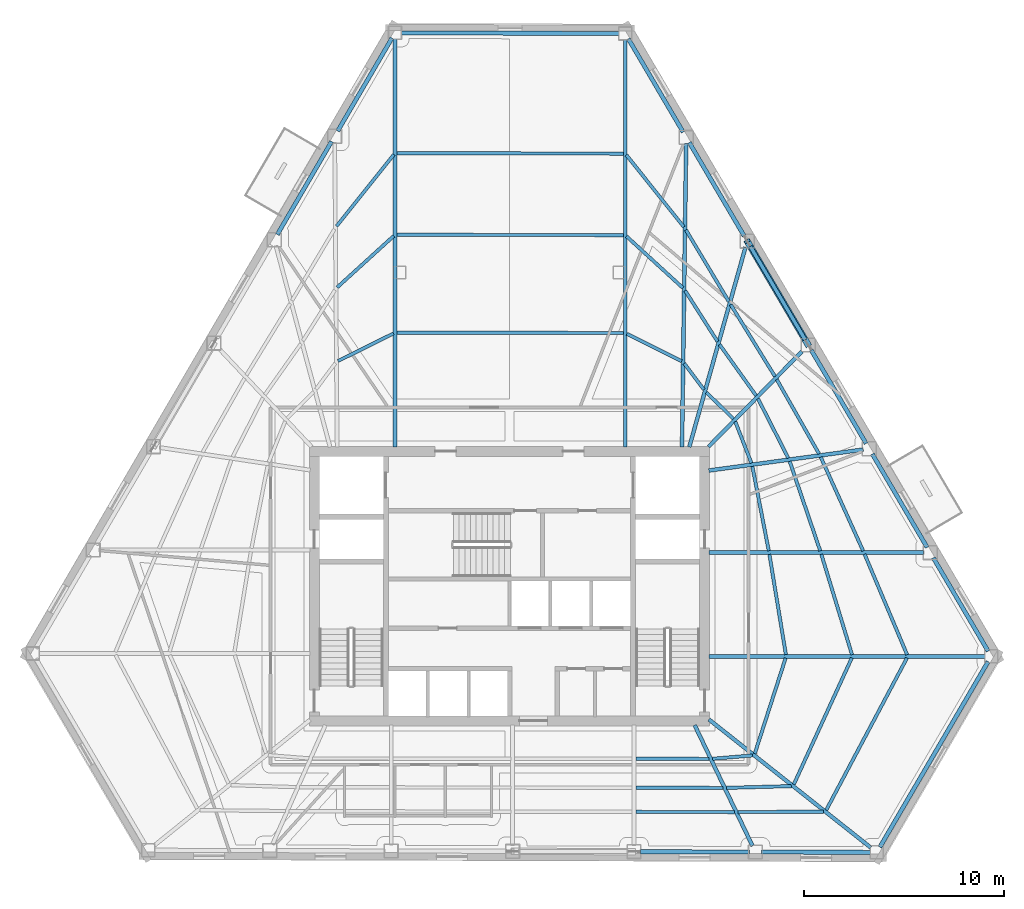
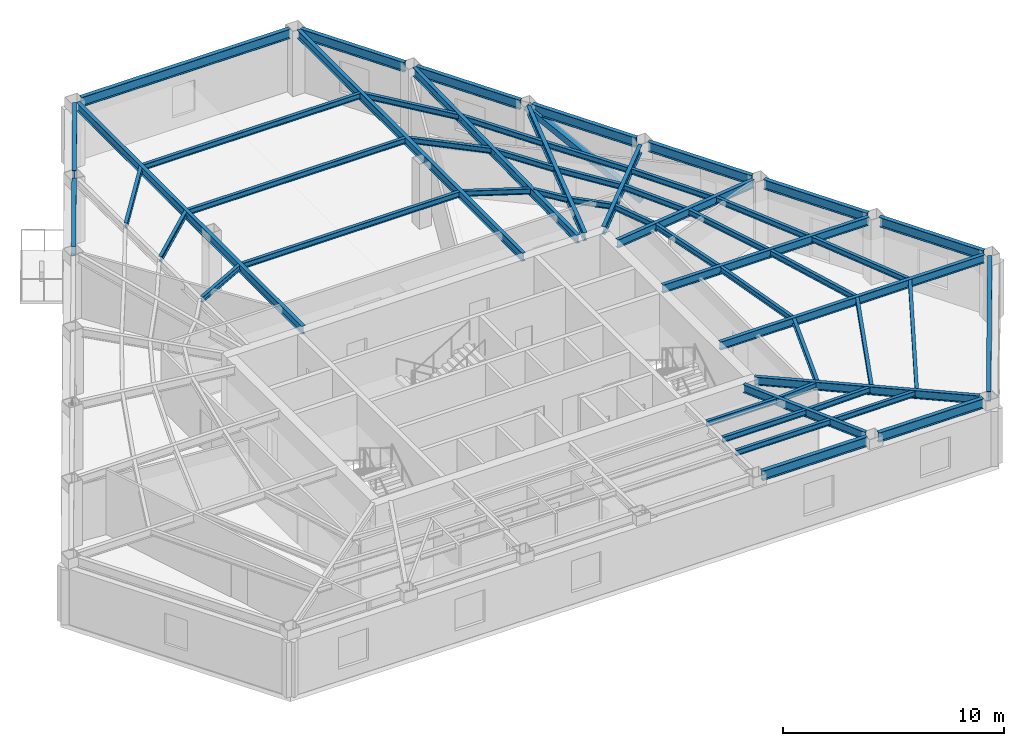
# One storey, part 2 of 11: 55 beams, 1 member.
"""IFC4 building model written with IfcOpenShell, lengths in metres."""

from ifc_helpers import new_model, si_unit, direction, frame, origin, origin_2d, place, context, subcontext, project, spatial, hollow_rectangle, i_section, extrude, material, material_profile, profile_set, type_object, element, save


model = new_model("IFC4")

# Units and contexts
model_context = context("Model", 3, precision=1e-05, world=origin(), true_north=direction((0.0, 1.0)))
body_context = subcontext(model_context, "Body", "Model", "MODEL_VIEW")
ifc_project = project(units=[si_unit("LENGTHUNIT", "METRE"), si_unit("AREAUNIT", "SQUARE_METRE"), si_unit("VOLUMEUNIT", "CUBIC_METRE"), si_unit("PLANEANGLEUNIT", "RADIAN"), si_unit("MASSUNIT", "GRAM", prefix="KILO")], contexts=[model_context])

# Site, building, storey
site_placement = place(None, origin())
site = spatial("IfcSite", under=ifc_project, at=site_placement, CompositionType="ELEMENT")
building_placement = place(site_placement, origin())
building = spatial("IfcBuilding", under=site, at=building_placement, Name="Kavelnor Concourse Tower", CompositionType="ELEMENT")
storey_placement = place(building_placement, frame((0.0, 0.0, 127.85009765625)))
storey = spatial("IfcBuildingStorey", under=building, at=storey_placement, Name="L32", CompositionType="ELEMENT", Elevation=127.85009765625)

# Beams
ifc_material = material(Name="Steel Grade 350", Category="steel")
ifc_material_profile_1 = material_profile(ifc_material, i_section(OverallWidth=0.166015625, OverallDepth=0.306884765625, WebThickness=0.006591796875, FlangeThickness=0.01171875, at=origin_2d()), Name="310UB46")
ifc_profile_set_1 = profile_set([ifc_material_profile_1], Name="Steel Grade 350")
beam_type_1 = type_object("IfcBeamType", Name="BM-JOIST-310", PredefinedType="JOIST", material=ifc_profile_set_1)
beam_1_placement = place(storey_placement, frame((44.32421875, 7.44775390625, 3.4462890625), z_axis=(0.999998504966, -0.001729180708, 0.0), x_axis=(0.001729180708, 0.999998504966, 0.0)))
element("IfcBeam", 1, at=beam_1_placement, inside=storey, type_object=beam_type_1, Name="L32 Secondary Composite Joist 06-1", PredefinedType="JOIST", context=body_context, shape_type="SweptSolid", body=[
    extrude(i_section(OverallWidth=0.166015625, OverallDepth=0.306884765625, WebThickness=0.006591796875, FlangeThickness=0.01171875, at=origin_2d()), origin(), (0.0, 0.0, 1.0), 3.6708984375),
])
beam_2_placement = place(storey_placement, frame((44.32421875, 5.997314453125, 3.4462890625), z_axis=(0.99999797375, -0.002013080974, 0.0), x_axis=(0.002013080974, 0.99999797375, 0.0)))
element("IfcBeam", 2, at=beam_2_placement, inside=storey, type_object=beam_type_1, Name="L32 Secondary Composite Joist 06-2", PredefinedType="JOIST", context=body_context, shape_type="SweptSolid", body=[
    extrude(i_section(OverallWidth=0.166015625, OverallDepth=0.306884765625, WebThickness=0.006591796875, FlangeThickness=0.01171875, at=origin_2d()), origin(), (0.0, 0.0, 1.0), 4.365966796875),
])
beam_3_placement = place(storey_placement, frame((44.32421875, 4.78857421875, 3.4462890625), z_axis=(0.999997641024, -0.002172083537, 0.0), x_axis=(0.002172083537, 0.999997641024, 0.0)))
element("IfcBeam", 3, at=beam_3_placement, inside=storey, type_object=beam_type_1, Name="L32 Secondary Composite Joist 06-3", PredefinedType="JOIST", context=body_context, shape_type="SweptSolid", body=[
    extrude(i_section(OverallWidth=0.166015625, OverallDepth=0.306884765625, WebThickness=0.006591796875, FlangeThickness=0.01171875, at=origin_2d()), origin(), (0.0, 0.0, 1.0), 4.945556640625),
])
beam_4_placement = place(storey_placement, frame((48.172607421875, 7.448486328125, 3.4462890625), z_axis=(0.996575135428, 0.082692197016, 0.0), x_axis=(-0.082692197016, 0.996575135428, 0.0)))
element("IfcBeam", 4, at=beam_4_placement, inside=storey, type_object=beam_type_1, Name="L32 Secondary Composite Joist 07-1", PredefinedType="JOIST", context=body_context, shape_type="SweptSolid", body=[
    extrude(i_section(OverallWidth=0.166015625, OverallDepth=0.306884765625, WebThickness=0.006591796875, FlangeThickness=0.01171875, at=origin_2d()), origin(), (0.0, 0.0, 1.0), 2.001708984375),
])
beam_5_placement = place(storey_placement, frame((48.868408203125, 5.99072265625, 3.4462890625), z_axis=(0.9996204899, 0.027547707199, 0.0), x_axis=(-0.027547707199, 0.9996204899, 0.0)))
element("IfcBeam", 5, at=beam_5_placement, inside=storey, type_object=beam_type_1, Name="L32 Secondary Composite Joist 07-2", PredefinedType="JOIST", context=body_context, shape_type="SweptSolid", body=[
    extrude(i_section(OverallWidth=0.166015625, OverallDepth=0.306884765625, WebThickness=0.006591796875, FlangeThickness=0.01171875, at=origin_2d()), origin(), (0.0, 0.0, 1.0), 3.24365234375),
])
beam_6_placement = place(storey_placement, frame((49.44775390625, 4.778076171875, 3.4462890625), z_axis=(0.99998684052, 0.005130183871, 0.0), x_axis=(-0.005130183871, 0.99998684052, 0.0)))
element("IfcBeam", 6, at=beam_6_placement, inside=storey, type_object=beam_type_1, Name="L32 Secondary Composite Joist 07-3", PredefinedType="JOIST", context=body_context, shape_type="SweptSolid", body=[
    extrude(i_section(OverallWidth=0.166015625, OverallDepth=0.306884765625, WebThickness=0.006591796875, FlangeThickness=0.01171875, at=origin_2d()), origin(), (0.0, 0.0, 1.0), 4.282958984375),
])
beam_7_placement = place(storey_placement, frame((50.28369140625, 7.7060546875, 3.4462890625), z_axis=(0.307287812441, 0.951616624658, 0.0), x_axis=(-0.951616624658, 0.307287812441, 0.0)))
element("IfcBeam", 7, at=beam_7_placement, inside=storey, type_object=beam_type_1, Name="L32 Secondary Composite Joist 08-1", PredefinedType="JOIST", context=body_context, shape_type="SweptSolid", body=[
    extrude(i_section(OverallWidth=0.166015625, OverallDepth=0.306884765625, WebThickness=0.006591796875, FlangeThickness=0.01171875, at=origin_2d()), origin(), (0.0, 0.0, 1.0), 5.030029296875),
])
beam_8_placement = place(storey_placement, frame((52.237060546875, 6.16357421875, 3.4462890625), z_axis=(0.41698166095, 0.908914899444, 0.0), x_axis=(-0.908914899444, 0.41698166095, 0.0)))
element("IfcBeam", 8, at=beam_8_placement, inside=storey, type_object=beam_type_1, Name="L32 Secondary Composite Joist 08-2", PredefinedType="JOIST", context=body_context, shape_type="SweptSolid", body=[
    extrude(i_section(OverallWidth=0.166015625, OverallDepth=0.306884765625, WebThickness=0.006591796875, FlangeThickness=0.01171875, at=origin_2d()), origin(), (0.0, 0.0, 1.0), 6.96728515625),
])
beam_9_placement = place(storey_placement, frame((53.861328125, 4.87890625, 3.4462890625), z_axis=(0.468915884233, 0.88324282817, 0.0), x_axis=(-0.88324282817, 0.468915884233, 0.0)))
element("IfcBeam", 9, at=beam_9_placement, inside=storey, type_object=beam_type_1, Name="L32 Secondary Composite Joist 08-3", PredefinedType="JOIST", context=body_context, shape_type="SweptSolid", body=[
    extrude(i_section(OverallWidth=0.166015625, OverallDepth=0.306884765625, WebThickness=0.006591796875, FlangeThickness=0.01171875, at=origin_2d()), origin(), (0.0, 0.0, 1.0), 8.627197265625),
])
beam_10_placement = place(storey_placement, frame((51.84228515625, 12.6650390625, 3.4462890625), z_axis=(-0.162369058473, 0.986730099293, 0.0), x_axis=(-0.986730099293, -0.162369058473, 0.0)))
element("IfcBeam", 10, at=beam_10_placement, inside=storey, type_object=beam_type_1, Name="L32 Secondary Composite Joist 09-1", PredefinedType="JOIST", context=body_context, shape_type="SweptSolid", body=[
    extrude(i_section(OverallWidth=0.166015625, OverallDepth=0.306884765625, WebThickness=0.006591796875, FlangeThickness=0.01171875, at=origin_2d()), origin(), (0.0, 0.0, 1.0), 5.09130859375),
])
beam_11_placement = place(storey_placement, frame((55.1533203125, 12.662353515625, 3.4462890625), z_axis=(-0.292170174294, 0.95636634678, 0.0), x_axis=(-0.95636634678, -0.292170174294, 0.0)))
element("IfcBeam", 11, at=beam_11_placement, inside=storey, type_object=beam_type_1, Name="L32 Secondary Composite Joist 09-2", PredefinedType="JOIST", context=body_context, shape_type="SweptSolid", body=[
    extrude(i_section(OverallWidth=0.166015625, OverallDepth=0.306884765625, WebThickness=0.006591796875, FlangeThickness=0.01171875, at=origin_2d()), origin(), (0.0, 0.0, 1.0), 5.258544921875),
])
beam_12_placement = place(storey_placement, frame((57.913818359375, 12.6591796875, 3.4462890625), z_axis=(-0.38961959599, 0.920975879391, 0.0), x_axis=(-0.920975879391, -0.38961959599, 0.0)))
element("IfcBeam", 12, at=beam_12_placement, inside=storey, type_object=beam_type_1, Name="L32 Secondary Composite Joist 09-3", PredefinedType="JOIST", context=body_context, shape_type="SweptSolid", body=[
    extrude(i_section(OverallWidth=0.166015625, OverallDepth=0.306884765625, WebThickness=0.006591796875, FlangeThickness=0.01171875, at=origin_2d()), origin(), (0.0, 0.0, 1.0), 5.46728515625),
])
beam_13_placement = place(storey_placement, frame((50.984375, 17.86376953125, 3.4462890625), z_axis=(-0.190705781767, 0.98164724051, 0.0), x_axis=(-0.98164724051, -0.190705781767, 0.0)))
element("IfcBeam", 13, at=beam_13_placement, inside=storey, type_object=beam_type_1, Name="L32 Secondary Composite Joist 10-1", PredefinedType="JOIST", context=body_context, shape_type="SweptSolid", body=[
    extrude(i_section(OverallWidth=0.166015625, OverallDepth=0.306884765625, WebThickness=0.006591796875, FlangeThickness=0.01171875, at=origin_2d()), origin(), (0.0, 0.0, 1.0), 4.306640625),
])
beam_14_placement = place(storey_placement, frame((53.562255859375, 17.860595703125, 3.4462890625), z_axis=(-0.323049345179, 0.946382121862, 0.0), x_axis=(-0.946382121862, -0.323049345179, 0.0)))
element("IfcBeam", 14, at=beam_14_placement, inside=storey, type_object=beam_type_1, Name="L32 Secondary Composite Joist 10-2", PredefinedType="JOIST", context=body_context, shape_type="SweptSolid", body=[
    extrude(i_section(OverallWidth=0.166015625, OverallDepth=0.306884765625, WebThickness=0.006591796875, FlangeThickness=0.01171875, at=origin_2d()), origin(), (0.0, 0.0, 1.0), 4.739990234375),
])
beam_15_placement = place(storey_placement, frame((55.71240234375, 17.857421875, 3.4462890625), z_axis=(-0.412055662473, 0.911158674998, 0.0), x_axis=(-0.911158674998, -0.412055662473, 0.0)))
element("IfcBeam", 15, at=beam_15_placement, inside=storey, type_object=beam_type_1, Name="L32 Secondary Composite Joist 10-3", PredefinedType="JOIST", context=body_context, shape_type="SweptSolid", body=[
    extrude(i_section(OverallWidth=0.166015625, OverallDepth=0.306884765625, WebThickness=0.006591796875, FlangeThickness=0.01171875, at=origin_2d()), origin(), (0.0, 0.0, 1.0), 5.16064453125),
])
beam_16_placement = place(storey_placement, frame((50.11376953125, 22.26171875, 3.4462890625), z_axis=(-0.362573662033, 0.93195511673, 0.0), x_axis=(-0.93195511673, -0.362573662033, 0.0)))
element("IfcBeam", 16, at=beam_16_placement, inside=storey, type_object=beam_type_1, Name="L32 Secondary Composite Joist 11-1", PredefinedType="JOIST", context=body_context, shape_type="SweptSolid", body=[
    extrude(i_section(OverallWidth=0.166015625, OverallDepth=0.306884765625, WebThickness=0.006591796875, FlangeThickness=0.01171875, at=origin_2d()), origin(), (0.0, 0.0, 1.0), 2.219482421875),
])
beam_17_placement = place(storey_placement, frame((51.9619140625, 22.510009765625, 3.4462890625), z_axis=(-0.454714224966, 0.890637397381, 0.0), x_axis=(-0.890637397381, -0.454714224966, 0.0)))
element("IfcBeam", 17, at=beam_17_placement, inside=storey, type_object=beam_type_1, Name="L32 Secondary Composite Joist 11-2", PredefinedType="JOIST", context=body_context, shape_type="SweptSolid", body=[
    extrude(i_section(OverallWidth=0.166015625, OverallDepth=0.306884765625, WebThickness=0.006591796875, FlangeThickness=0.01171875, at=origin_2d()), origin(), (0.0, 0.0, 1.0), 3.339111328125),
])
beam_18_placement = place(storey_placement, frame((53.50537109375, 22.718017578125, 3.4462890625), z_axis=(-0.494457486158, 0.86920181453, 0.0), x_axis=(-0.86920181453, -0.494457486158, 0.0)))
element("IfcBeam", 18, at=beam_18_placement, inside=storey, type_object=beam_type_1, Name="L32 Secondary Composite Joist 11-3", PredefinedType="JOIST", context=body_context, shape_type="SweptSolid", body=[
    extrude(i_section(OverallWidth=0.166015625, OverallDepth=0.306884765625, WebThickness=0.006591796875, FlangeThickness=0.01171875, at=origin_2d()), origin(), (0.0, 0.0, 1.0), 4.286865234375),
])
beam_19_placement = place(storey_placement, frame((49.21337890625, 24.475341796875, 3.4462890625), z_axis=(-0.715162364714, 0.698958362205, 0.0), x_axis=(-0.698958362205, -0.715162364714, 0.0)))
element("IfcBeam", 19, at=beam_19_placement, inside=storey, type_object=beam_type_1, Name="L32 Secondary Composite Joist 12-1", PredefinedType="JOIST", context=body_context, shape_type="SweptSolid", body=[
    extrude(i_section(OverallWidth=0.166015625, OverallDepth=0.306884765625, WebThickness=0.006591796875, FlangeThickness=0.01171875, at=origin_2d()), origin(), (0.0, 0.0, 1.0), 1.8984375),
])
beam_20_placement = place(storey_placement, frame((50.351318359375, 25.635498046875, 3.4462890625), z_axis=(-0.581898535701, 0.813261393495, 0.0), x_axis=(-0.813261393495, -0.581898535701, 0.0)))
element("IfcBeam", 20, at=beam_20_placement, inside=storey, type_object=beam_type_1, Name="L32 Secondary Composite Joist 12-2", PredefinedType="JOIST", context=body_context, shape_type="SweptSolid", body=[
    extrude(i_section(OverallWidth=0.166015625, OverallDepth=0.306884765625, WebThickness=0.006591796875, FlangeThickness=0.01171875, at=origin_2d()), origin(), (0.0, 0.0, 1.0), 3.146728515625),
])
beam_21_placement = place(storey_placement, frame((51.294921875, 26.597412109375, 3.4462890625), z_axis=(-0.524684204625, 0.85129694315, 0.0), x_axis=(-0.85129694315, -0.524684204625, 0.0)))
element("IfcBeam", 21, at=beam_21_placement, inside=storey, type_object=beam_type_1, Name="L32 Secondary Composite Joist 12-3", PredefinedType="JOIST", context=body_context, shape_type="SweptSolid", body=[
    extrude(i_section(OverallWidth=0.166015625, OverallDepth=0.306884765625, WebThickness=0.006591796875, FlangeThickness=0.01171875, at=origin_2d()), origin(), (0.0, 0.0, 1.0), 4.22412109375),
])
beam_22_placement = place(storey_placement, frame((47.738525390625, 25.935546875, 3.4462890625), z_axis=(-0.601282915334, 0.799036204266, 0.0), x_axis=(-0.799036204266, -0.601282915334, 0.0)))
element("IfcBeam", 22, at=beam_22_placement, inside=storey, type_object=beam_type_1, Name="L32 Secondary Composite Joist 13-1", PredefinedType="JOIST", context=body_context, shape_type="SweptSolid", body=[
    extrude(i_section(OverallWidth=0.166015625, OverallDepth=0.306884765625, WebThickness=0.006591796875, FlangeThickness=0.01171875, at=origin_2d()), origin(), (0.0, 0.0, 1.0), 1.643310546875),
])
beam_23_placement = place(storey_placement, frame((48.420654296875, 28.342041015625, 3.4462890625), z_axis=(-0.537120736615, 0.843505373011, 0.0), x_axis=(-0.843505373011, -0.537120736615, 0.0)))
element("IfcBeam", 23, at=beam_23_placement, inside=storey, type_object=beam_type_1, Name="L32 Secondary Composite Joist 13-2", PredefinedType="JOIST", context=body_context, shape_type="SweptSolid", body=[
    extrude(i_section(OverallWidth=0.166015625, OverallDepth=0.306884765625, WebThickness=0.006591796875, FlangeThickness=0.01171875, at=origin_2d()), origin(), (0.0, 0.0, 1.0), 3.027099609375),
])
beam_24_placement = place(storey_placement, frame((48.986083984375, 30.345458984375, 3.4462890625), z_axis=(-0.513955416677, 0.857816897519, 0.0), x_axis=(-0.857816897519, -0.513955416677, 0.0)))
element("IfcBeam", 24, at=beam_24_placement, inside=storey, type_object=beam_type_1, Name="L32 Secondary Composite Joist 13-3", PredefinedType="JOIST", context=body_context, shape_type="SweptSolid", body=[
    extrude(i_section(OverallWidth=0.166015625, OverallDepth=0.306884765625, WebThickness=0.006591796875, FlangeThickness=0.01171875, at=origin_2d()), origin(), (0.0, 0.0, 1.0), 4.186767578125),
])
beam_25_placement = place(storey_placement, frame((46.617431640625, 27.359619140625, 3.4462890625), z_axis=(-0.89378956885, 0.448486573506, 0.0), x_axis=(-0.448486573506, -0.89378956885, 0.0)))
element("IfcBeam", 25, at=beam_25_placement, inside=storey, type_object=beam_type_1, Name="L32 Secondary Composite Joist 14-1", PredefinedType="JOIST", context=body_context, shape_type="SweptSolid", body=[
    extrude(i_section(OverallWidth=0.166015625, OverallDepth=0.306884765625, WebThickness=0.006591796875, FlangeThickness=0.01171875, at=origin_2d()), origin(), (0.0, 0.0, 1.0), 3.0673828125),
])
beam_26_placement = place(storey_placement, frame((46.681396484375, 31.03076171875, 3.4462890625), z_axis=(-0.737331672702, 0.675530905607, 0.0), x_axis=(-0.675530905607, -0.737331672702, 0.0)))
element("IfcBeam", 26, at=beam_26_placement, inside=storey, type_object=beam_type_1, Name="L32 Secondary Composite Joist 14-2", PredefinedType="JOIST", context=body_context, shape_type="SweptSolid", body=[
    extrude(i_section(OverallWidth=0.166015625, OverallDepth=0.306884765625, WebThickness=0.006591796875, FlangeThickness=0.01171875, at=origin_2d()), origin(), (0.0, 0.0, 1.0), 3.823974609375),
])
beam_27_placement = place(storey_placement, frame((46.73291015625, 34.082763671875, 3.4462890625), z_axis=(-0.624391735408, 0.781111362582, 0.0), x_axis=(-0.781111362582, -0.624391735408, 0.0)))
element("IfcBeam", 27, at=beam_27_placement, inside=storey, type_object=beam_type_1, Name="L32 Secondary Composite Joist 14-3", PredefinedType="JOIST", context=body_context, shape_type="SweptSolid", body=[
    extrude(i_section(OverallWidth=0.166015625, OverallDepth=0.306884765625, WebThickness=0.006591796875, FlangeThickness=0.01171875, at=origin_2d()), origin(), (0.0, 0.0, 1.0), 4.6142578125),
])
for number, where, z_axis, x_axis, name in (
    (28, (43.707275390625, 28.775390625, 3.4462890625), (-0.999999666132, 0.000817151309, 0.0), (-0.000817151309, -0.999999666132, 0.0), "L32 Secondary Composite Joist 15-1"),
    (29, (43.707275390625, 33.67431640625, 3.4462890625), (-0.999998834469, 0.001526781439, 0.0), (-0.001526781439, -0.999998834469, 0.0), "L32 Secondary Composite Joist 15-2"),
    (30, (43.707275390625, 37.7568359375, 3.4462890625), (-0.999997824545, 0.002085882394, 0.0), (-0.002085882394, -0.999997824545, 0.0), "L32 Secondary Composite Joist 15-3"),
):
    element("IfcBeam", number, at=place(storey_placement, frame(where, z_axis=z_axis, x_axis=x_axis)), inside=storey, type_object=beam_type_1, Name=name, PredefinedType="JOIST", context=body_context, shape_type="SweptSolid", body=[
        extrude(i_section(OverallWidth=0.166015625, OverallDepth=0.306884765625, WebThickness=0.006591796875, FlangeThickness=0.01171875, at=origin_2d()), origin(), (0.0, 0.0, 1.0), 11.353271484375),
    ])
beam_28_placement = place(storey_placement, frame((32.18505859375, 28.745361328125, 3.4462890625), z_axis=(-0.896251351371, -0.443546519732, 0.0), x_axis=(0.443546519732, -0.896251351371, 0.0)))
element("IfcBeam", 31, at=beam_28_placement, inside=storey, type_object=beam_type_1, Name="L32 Secondary Composite Joist 16-1", PredefinedType="JOIST", context=body_context, shape_type="SweptSolid", body=[
    extrude(i_section(OverallWidth=0.166015625, OverallDepth=0.306884765625, WebThickness=0.006591796875, FlangeThickness=0.01171875, at=origin_2d()), origin(), (0.0, 0.0, 1.0), 3.09228515625),
])
beam_29_placement = place(storey_placement, frame((32.19921875, 33.6318359375, 3.4462890625), z_axis=(-0.739697443772, -0.672939589917, 0.0), x_axis=(0.672939589917, -0.739697443772, 0.0)))
element("IfcBeam", 32, at=beam_29_placement, inside=storey, type_object=beam_type_1, Name="L32 Secondary Composite Joist 16-2", PredefinedType="JOIST", context=body_context, shape_type="SweptSolid", body=[
    extrude(i_section(OverallWidth=0.166015625, OverallDepth=0.306884765625, WebThickness=0.006591796875, FlangeThickness=0.01171875, at=origin_2d()), origin(), (0.0, 0.0, 1.0), 3.825439453125),
])
beam_30_placement = place(storey_placement, frame((32.209228515625, 37.71142578125, 3.4462890625), z_axis=(-0.624947440477, -0.780666828193, 0.0), x_axis=(0.780666828193, -0.624947440477, 0.0)))
element("IfcBeam", 33, at=beam_30_placement, inside=storey, type_object=beam_type_1, Name="L32 Secondary Composite Joist 16-3", PredefinedType="JOIST", context=body_context, shape_type="SweptSolid", body=[
    extrude(i_section(OverallWidth=0.166015625, OverallDepth=0.306884765625, WebThickness=0.006591796875, FlangeThickness=0.01171875, at=origin_2d()), origin(), (0.0, 0.0, 1.0), 4.60009765625),
])
ifc_material_profile_2 = material_profile(ifc_material, i_section(OverallWidth=0.18994140625, OverallDepth=0.4541015625, WebThickness=0.008544921875, FlangeThickness=0.0126953125, at=origin_2d()), Name="460UB67")
ifc_profile_set_2 = profile_set([ifc_material_profile_2], Name="Steel Grade 350")
beam_type_2 = type_object("IfcBeamType", Name="BM-PRIMARY-460", PredefinedType="BEAM", material=ifc_profile_set_2)
beam_31_placement = place(storey_placement, frame((32.264892578125, 23.06005859375, 3.372802734375), z_axis=(0.0, 1.0, 0.0), x_axis=(-1.0, 0.0, 0.0)))
element("IfcBeam", 34, at=beam_31_placement, inside=storey, type_object=beam_type_2, Name="L32 Primary Floor Girder F0-B0", PredefinedType="BEAM", context=body_context, shape_type="SweptSolid", body=[
    extrude(i_section(OverallWidth=0.18994140625, OverallDepth=0.4541015625, WebThickness=0.008544921875, FlangeThickness=0.0126953125, at=origin_2d()), origin(), (0.0, 0.0, 1.0), 20.445556640625),
])
beam_32_placement = place(storey_placement, frame((47.272705078125, 9.135986328125, 3.372802734375), z_axis=(0.431721948291, -0.902006740199, 0.0), x_axis=(0.902006740199, 0.431721948291, 0.0)))
element("IfcBeam", 35, at=beam_32_placement, inside=storey, type_object=beam_type_2, Name="L32 Primary Floor Girder F1-B5", PredefinedType="BEAM", context=body_context, shape_type="SweptSolid", body=[
    extrude(i_section(OverallWidth=0.18994140625, OverallDepth=0.4541015625, WebThickness=0.008544921875, FlangeThickness=0.0126953125, at=origin_2d()), origin(), (0.0, 0.0, 1.0), 6.7109375),
])
beam_33_placement = place(storey_placement, frame((47.988525390625, 9.41650390625, 3.372802734375), z_axis=(0.784059244178, -0.620685992768, 0.0), x_axis=(0.620685992768, 0.784059244178, 0.0)))
element("IfcBeam", 36, at=beam_33_placement, inside=storey, type_object=beam_type_2, Name="L32 Primary Floor Girder F1-B6", PredefinedType="BEAM", context=body_context, shape_type="SweptSolid", body=[
    extrude(i_section(OverallWidth=0.18994140625, OverallDepth=0.4541015625, WebThickness=0.008544921875, FlangeThickness=0.0126953125, at=origin_2d()), origin(), (0.0, 0.0, 1.0), 10.3291015625),
])
beam_34_placement = place(storey_placement, frame((47.97998046875, 12.577392578125, 3.372802734375), z_axis=(1.0, 0.0, 0.0), x_axis=(0.0, 1.0, 0.0)))
element("IfcBeam", 37, at=beam_34_placement, inside=storey, type_object=beam_type_2, Name="L32 Primary Floor Girder F2-B0", PredefinedType="BEAM", context=body_context, shape_type="SweptSolid", body=[
    extrude(i_section(OverallWidth=0.18994140625, OverallDepth=0.4541015625, WebThickness=0.008544921875, FlangeThickness=0.0126953125, at=origin_2d()), origin(), (0.0, 0.0, 1.0), 13.844970703125),
])
beam_35_placement = place(storey_placement, frame((47.97998046875, 17.7763671875, 3.372802734375), z_axis=(1.0, 0.0, 0.0), x_axis=(0.0, 1.0, 0.0)))
element("IfcBeam", 38, at=beam_35_placement, inside=storey, type_object=beam_type_2, Name="L32 Primary Floor Girder F2-B1", PredefinedType="BEAM", context=body_context, shape_type="SweptSolid", body=[
    extrude(i_section(OverallWidth=0.18994140625, OverallDepth=0.4541015625, WebThickness=0.008544921875, FlangeThickness=0.0126953125, at=origin_2d()), origin(), (0.0, 0.0, 1.0), 10.790283203125),
])
beam_36_placement = place(storey_placement, frame((47.98046875, 21.884765625, 3.372802734375), z_axis=(0.990910123187, 0.134525565475, 0.0), x_axis=(-0.134525565475, 0.990910123187, 0.0)))
element("IfcBeam", 39, at=beam_36_placement, inside=storey, type_object=beam_type_2, Name="L32 Primary Floor Girder F2-B2", PredefinedType="BEAM", context=body_context, shape_type="SweptSolid", body=[
    extrude(i_section(OverallWidth=0.18994140625, OverallDepth=0.4541015625, WebThickness=0.008544921875, FlangeThickness=0.0126953125, at=origin_2d()), origin(), (0.0, 0.0, 1.0), 7.8056640625),
])
beam_37_placement = place(storey_placement, frame((47.962890625, 23.0712890625, 3.372802734375), z_axis=(0.699660410192, 0.714475549204, 0.0), x_axis=(-0.714475549204, 0.699660410192, 0.0)))
element("IfcBeam", 40, at=beam_37_placement, inside=storey, type_object=beam_type_2, Name="L32 Primary Floor Girder F2-B3", PredefinedType="BEAM", context=body_context, shape_type="SweptSolid", body=[
    extrude(i_section(OverallWidth=0.18994140625, OverallDepth=0.4541015625, WebThickness=0.008544921875, FlangeThickness=0.0126953125, at=origin_2d()), origin(), (0.0, 0.0, 1.0), 6.70703125),
])
beam_38_placement = place(storey_placement, frame((47.003173828125, 23.0615234375, 3.372802734375), z_axis=(0.270933207522, 0.962598149314, 0.0), x_axis=(-0.962598149314, 0.270933207522, 0.0)))
element("IfcBeam", 41, at=beam_38_placement, inside=storey, type_object=beam_type_2, Name="L32 Primary Floor Girder F2-B4", PredefinedType="BEAM", context=body_context, shape_type="SweptSolid", body=[
    extrude(i_section(OverallWidth=0.18994140625, OverallDepth=0.4541015625, WebThickness=0.008544921875, FlangeThickness=0.0126953125, at=origin_2d()), origin(), (0.0, 0.0, 1.0), 10.399658203125),
])
beam_39_placement = place(storey_placement, frame((46.638671875, 23.06005859375, 3.372802734375), z_axis=(0.013688114222, 0.999906313376, 0.0), x_axis=(-0.999906313376, 0.013688114222, 0.0)))
element("IfcBeam", 42, at=beam_39_placement, inside=storey, type_object=beam_type_2, Name="L32 Primary Floor Girder F2-B5", PredefinedType="BEAM", context=body_context, shape_type="SweptSolid", body=[
    extrude(i_section(OverallWidth=0.18994140625, OverallDepth=0.4541015625, WebThickness=0.008544921875, FlangeThickness=0.0126953125, at=origin_2d()), origin(), (0.0, 0.0, 1.0), 15.214111328125),
])
beam_40_placement = place(storey_placement, frame((43.796142578125, 23.06005859375, 3.372802734375), z_axis=(0.0, 1.0, 0.0), x_axis=(-1.0, 0.0, 0.0)))
element("IfcBeam", 43, at=beam_40_placement, inside=storey, type_object=beam_type_2, Name="L32 Primary Floor Girder F2-B6", PredefinedType="BEAM", context=body_context, shape_type="SweptSolid", body=[
    extrude(i_section(OverallWidth=0.18994140625, OverallDepth=0.4541015625, WebThickness=0.008544921875, FlangeThickness=0.0126953125, at=origin_2d()), origin(), (0.0, 0.0, 1.0), 20.411865234375),
])
ifc_material_profile_3 = material_profile(ifc_material, i_section(OverallWidth=0.208984375, OverallDepth=0.532958984375, WebThickness=0.01025390625, FlangeThickness=0.015625, at=origin_2d()), Name="530UB92")
ifc_profile_set_3 = profile_set([ifc_material_profile_3], Name="Steel Grade 350")
beam_type_3 = type_object("IfcBeamType", Name="BM-SPANDREL-Z2", PredefinedType="SPANDREL", material=ifc_profile_set_3)
for number, where, z_axis, x_axis, name in (
    (44, (32.111083984375, 43.542236328125, 3.33349609375), (-0.504056942988, -0.863670422224, 0.0), (0.863670422224, -0.504056942988, 0.0), "L32 Perimeter Tube Spandrel Beam F0-B0"),
    (45, (29.087646484375, 38.36181640625, 3.33349609375), (-0.504090738638, -0.863650697458, 0.0), (0.863650697458, -0.504090738638, 0.0), "L32 Perimeter Tube Spandrel Beam F0-B1"),
):
    element("IfcBeam", number, at=place(storey_placement, frame(where, z_axis=z_axis, x_axis=x_axis)), inside=storey, type_object=beam_type_3, Name=name, PredefinedType="SPANDREL", context=body_context, shape_type="SweptSolid", body=[
        extrude(i_section(OverallWidth=0.208984375, OverallDepth=0.532958984375, WebThickness=0.01025390625, FlangeThickness=0.015625, at=origin_2d()), origin(), (0.0, 0.0, 1.0), 5.388427734375),
    ])
beam_41_placement = place(storey_placement, frame((43.4912109375, 43.772705078125, 3.33349609375), z_axis=(-0.999995712202, 0.002928408779, 0.0), x_axis=(-0.002928408779, -0.999995712202, 0.0)))
element("IfcBeam", 46, at=beam_41_placement, inside=storey, type_object=beam_type_3, Name="L32 Chamfer Facet Spandrel Beam C0", PredefinedType="SPANDREL", context=body_context, shape_type="SweptSolid", body=[
    extrude(i_section(OverallWidth=0.208984375, OverallDepth=0.532958984375, WebThickness=0.01025390625, FlangeThickness=0.015625, at=origin_2d()), origin(), (0.0, 0.0, 1.0), 10.92138671875),
])
for number, where, z_axis, x_axis, name in (
    (47, (44.5400390625, 2.795654296875, 3.33349609375), (0.999995792477, -0.002900866984, 0.0), (0.002900866984, 0.999995792477, 0.0), "L32 Perimeter Tube Spandrel Beam F1-B4"),
    (48, (50.620361328125, 2.77783203125, 3.33349609375), (0.999995792477, -0.002900866984, 0.0), (0.002900866984, 0.999995792477, 0.0), "L32 Perimeter Tube Spandrel Beam F1-B5"),
):
    element("IfcBeam", number, at=place(storey_placement, frame(where, z_axis=z_axis, x_axis=x_axis)), inside=storey, type_object=beam_type_3, Name=name, PredefinedType="SPANDREL", context=body_context, shape_type="SweptSolid", body=[
        extrude(i_section(OverallWidth=0.208984375, OverallDepth=0.532958984375, WebThickness=0.01025390625, FlangeThickness=0.015625, at=origin_2d()), origin(), (0.0, 0.0, 1.0), 5.470458984375),
    ])
for number, where, z_axis, x_axis, name in (
    (49, (61.970458984375, 12.84033203125, 3.33349609375), (-0.506604717605, 0.862178438666, 0.0), (-0.862178438666, -0.506604717605, 0.0), "L32 Perimeter Tube Spandrel Beam F2-B0"),
    (50, (58.915771484375, 18.039306640625, 3.33349609375), (-0.506604717605, 0.862178438666, 0.0), (-0.862178438666, -0.506604717605, 0.0), "L32 Perimeter Tube Spandrel Beam F2-B1"),
    (51, (55.86083984375, 23.238525390625, 3.33349609375), (-0.506604717605, 0.862178438666, 0.0), (-0.862178438666, -0.506604717605, 0.0), "L32 Perimeter Tube Spandrel Beam F2-B2"),
    (52, (52.80615234375, 28.4375, 3.33349609375), (-0.506604717605, 0.862178438666, 0.0), (-0.862178438666, -0.506604717605, 0.0), "L32 Perimeter Tube Spandrel Beam F2-B3"),
):
    element("IfcBeam", number, at=place(storey_placement, frame(where, z_axis=z_axis, x_axis=x_axis)), inside=storey, type_object=beam_type_3, Name=name, PredefinedType="SPANDREL", context=body_context, shape_type="SweptSolid", body=[
        extrude(i_section(OverallWidth=0.208984375, OverallDepth=0.532958984375, WebThickness=0.01025390625, FlangeThickness=0.015625, at=origin_2d()), origin(), (0.0, 0.0, 1.0), 5.420166015625),
    ])
beam_42_placement = place(storey_placement, frame((49.751220703125, 33.63671875, 3.33349609375), z_axis=(-0.506571233267, 0.862198112748, 0.0), x_axis=(-0.862198112748, -0.506571233267, 0.0)))
element("IfcBeam", 53, at=beam_42_placement, inside=storey, type_object=beam_type_3, Name="L32 Perimeter Tube Spandrel Beam F2-B4", PredefinedType="SPANDREL", context=body_context, shape_type="SweptSolid", body=[
    extrude(i_section(OverallWidth=0.208984375, OverallDepth=0.532958984375, WebThickness=0.01025390625, FlangeThickness=0.015625, at=origin_2d()), origin(), (0.0, 0.0, 1.0), 5.419921875),
])
beam_43_placement = place(storey_placement, frame((46.696533203125, 38.835693359375, 3.33349609375), z_axis=(-0.506604717605, 0.862178438666, 0.0), x_axis=(-0.862178438666, -0.506604717605, 0.0)))
element("IfcBeam", 54, at=beam_43_placement, inside=storey, type_object=beam_type_3, Name="L32 Perimeter Tube Spandrel Beam F2-B5", PredefinedType="SPANDREL", context=body_context, shape_type="SweptSolid", body=[
    extrude(i_section(OverallWidth=0.208984375, OverallDepth=0.532958984375, WebThickness=0.01025390625, FlangeThickness=0.015625, at=origin_2d()), origin(), (0.0, 0.0, 1.0), 5.420166015625),
])
beam_44_placement = place(storey_placement, frame((56.549560546875, 3.0244140625, 3.33349609375), z_axis=(0.504060126362, 0.86366856433, 0.0), x_axis=(-0.86366856433, 0.504060126362, 0.0)))
element("IfcBeam", 55, at=beam_44_placement, inside=storey, type_object=beam_type_3, Name="L32 Chamfer Facet Spandrel Beam C2", PredefinedType="SPANDREL", context=body_context, shape_type="SweptSolid", body=[
    extrude(i_section(OverallWidth=0.208984375, OverallDepth=0.532958984375, WebThickness=0.01025390625, FlangeThickness=0.015625, at=origin_2d()), origin(), (0.0, 0.0, 1.0), 10.755859375),
])

# Member
ifc_material_profile_4 = material_profile(ifc_material, hollow_rectangle(XDim=0.320068359375, YDim=0.320068359375, WallThickness=0.01806640625, at=origin_2d()), Name="SHS 320x320x18")
ifc_profile_set_4 = profile_set([ifc_material_profile_4], Name="Steel Grade 350")
member_type = type_object("IfcMemberType", Name="MBR-TUBE-DIAG-Z2", PredefinedType="BRACE", material=ifc_profile_set_4)
member_placement = place(storey_placement, frame((52.960693359375, 28.174560546875, 0.219970703125), z_axis=(-0.450138844449, 0.766095806873, 0.458772531229), x_axis=(-0.862182853729, -0.50659720364, 0.0)))
element("IfcMember", 56, at=member_placement, inside=storey, type_object=member_type, Name="L32 Framed-Tube Bracing Diagonal F2-B3", PredefinedType="BRACE", context=body_context, shape_type="SweptSolid", body=[
    extrude(hollow_rectangle(XDim=0.320068359375, YDim=0.320068359375, WallThickness=0.01806640625, at=origin_2d()), origin(), (0.0, 0.0, 1.0), 6.78662109375),
])

save(model, "model.ifc")
